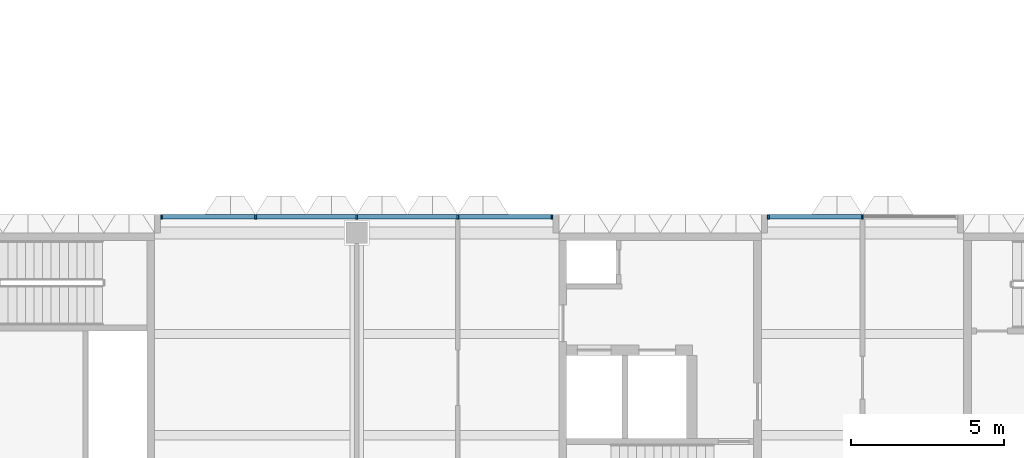
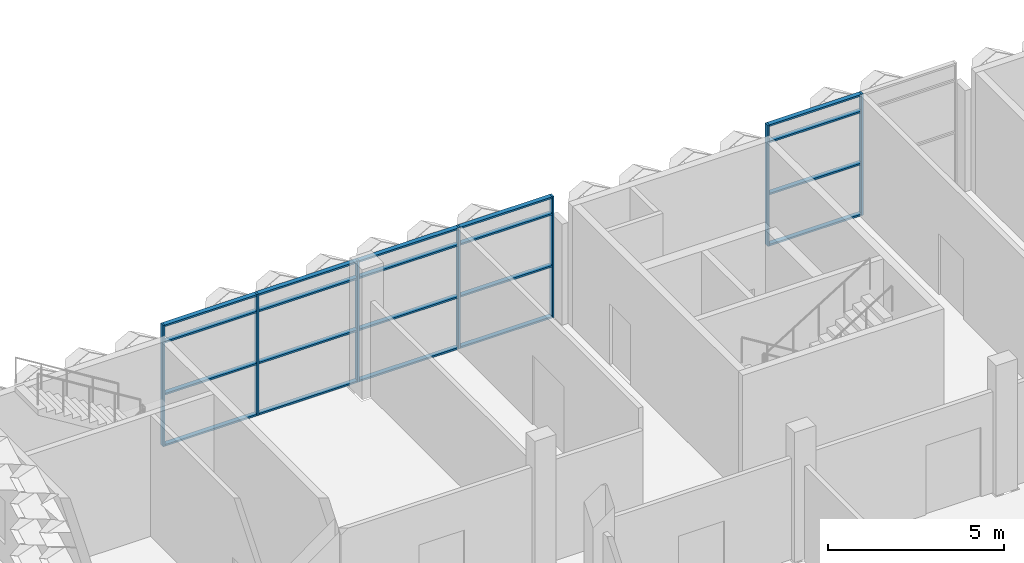
# One storey, part 12 of 109: 27 members, 2 elements without a shape of their own.
"""IFC4 building model written with IfcOpenShell, lengths in metres."""

import ifcopenshell
import ifcopenshell.guid

model = None  # the IFC model being written
_history = None  # IfcOwnerHistory: only IFC2X3 demands one
_inside = {}  # id of a spatial element -> (the spatial element, [elements in it])
_under = {}  # id of a project, library or spatial element -> (it, [spatial elements below it])
_declared = {}  # id of a project -> (the project, [libraries it declares])
_typed = {}  # id of a type object -> (the type object, [elements of that type])
_made_of = {}  # id of a material, layer set ... -> (it, [elements and type objects made of it])


def new_model(schema):
    """Start an empty IFC model of exactly this schema.

    Asked for "IFC4X3", IfcOpenShell would pick the latest addendum, in which some entities
    have other attributes; the version numbers below select the first issue.
    IFC2X3 requires an IfcOwnerHistory on every rooted entity: one is made here for all.
    """
    global model, _history
    if schema == "IFC4X3":
        model = ifcopenshell.file(schema_version=(4, 3, 0, 0))
    else:
        model = ifcopenshell.file(schema=schema)
    _inside.clear()
    _under.clear()
    _declared.clear()
    _typed.clear()
    _made_of.clear()
    _history = None
    if model.schema == "IFC2X3":
        org = make("IfcOrganization", Name="unknown")
        user = make(
            "IfcPersonAndOrganization",
            ThePerson=make("IfcPerson", FamilyName="unknown"),
            TheOrganization=org,
        )
        app = make(
            "IfcApplication",
            ApplicationDeveloper=org,
            Version="unknown",
            ApplicationFullName="unknown",
            ApplicationIdentifier="unknown",
        )
        _history = make(
            "IfcOwnerHistory",
            OwningUser=user,
            OwningApplication=app,
            ChangeAction="ADDED",
            CreationDate=0,
        )
    return model


def make(cls, **values):
    """One entity of the class cls with the attributes given. An attribute that is None is left unset."""
    return model.create_entity(
        cls, **{name: value for name, value in values.items() if value is not None}
    )


def rooted(cls, **values):
    """An entity with a GlobalId (a new one), such as an element, a storey or a relation."""
    return make(cls, GlobalId=ifcopenshell.guid.new(), OwnerHistory=_history, **values)


def si_unit(unit_type, name, prefix=None):
    """IfcSIUnit, for example si_unit("LENGTHUNIT", "METRE", prefix="MILLI")."""
    return make("IfcSIUnit", UnitType=unit_type, Prefix=prefix, Name=name)


def assignment(units):
    """IfcUnitAssignment: the units of a project."""
    return None if units is None else make("IfcUnitAssignment", Units=units)


def point(xyz):
    """IfcCartesianPoint."""
    return None if xyz is None else make("IfcCartesianPoint", Coordinates=xyz)


def direction(xyz):
    """IfcDirection."""
    return None if xyz is None else make("IfcDirection", DirectionRatios=xyz)


def frame(location, z_axis=None, x_axis=None):
    """IfcAxis2Placement3D, a coordinate frame: its origin and axes. An axis left out is left unset."""
    return make(
        "IfcAxis2Placement3D",
        Location=point(location),
        Axis=direction(z_axis),
        RefDirection=direction(x_axis),
    )


def frame_2d(location, x_axis=None):
    """IfcAxis2Placement2D, a coordinate frame in the plane: its origin and x axis."""
    return make(
        "IfcAxis2Placement2D", Location=point(location), RefDirection=direction(x_axis)
    )


def origin():
    """The frame at (0, 0, 0) with its axes left unset."""
    return frame((0.0, 0.0, 0.0))


def origin_2d():
    """The frame at (0, 0) in the plane with its x axis left unset."""
    return frame_2d((0.0, 0.0))


def place(relative_to, where):
    """IfcLocalPlacement: puts the frame where relative to a parent placement (None: the world)."""
    return make(
        "IfcLocalPlacement", PlacementRelTo=relative_to, RelativePlacement=where
    )


def context(
    kind, dimensions, precision=None, world=None, true_north=None, identifier=None
):
    """IfcGeometricRepresentationContext, for example the 3D "Model" context."""
    return make(
        "IfcGeometricRepresentationContext",
        ContextIdentifier=identifier,
        ContextType=kind,
        CoordinateSpaceDimension=dimensions,
        Precision=precision,
        WorldCoordinateSystem=world,
        TrueNorth=true_north,
    )


def subcontext(parent, identifier, kind, view, scale=None):
    """IfcGeometricRepresentationSubContext, for example "Body" below "Model"."""
    return make(
        "IfcGeometricRepresentationSubContext",
        ContextIdentifier=identifier,
        ContextType=kind,
        ParentContext=parent,
        TargetScale=scale,
        TargetView=view,
    )


def project(units=None, contexts=None):
    """IfcProject with its units and contexts."""
    return rooted(
        "IfcProject",
        Name="project",
        RepresentationContexts=contexts,
        UnitsInContext=assignment(units),
    )


def spatial(cls, under=None, at=None, **own):
    """A site, building, storey or space (cls), placed at a placement, below another one or the project."""
    s = rooted(cls, ObjectPlacement=at, **own)
    if under is not None:
        _under.setdefault(under.id(), (under, []))[1].append(s)
    return s


def profile(cls, at=None, kind="AREA", **sizes):
    """A parametric profile (cls). Its sizes go by their IFC names, for example OverallWidth=200.0."""
    return make(cls, ProfileType=kind, Position=at, **sizes)


def rectangle(**sizes):
    """IfcRectangleProfileDef."""
    return profile("IfcRectangleProfileDef", **sizes)


def extrude(swept, where, along, depth):
    """IfcExtrudedAreaSolid: the profile swept, set in the frame where, extruded along a direction by depth."""
    return make(
        "IfcExtrudedAreaSolid",
        SweptArea=swept,
        Position=where,
        ExtrudedDirection=direction(along),
        Depth=depth,
    )


def shape(context_of_items, identifier, shape_type, items):
    """IfcShapeRepresentation: the items that make up one representation, for example the "Body"."""
    return make(
        "IfcShapeRepresentation",
        ContextOfItems=context_of_items,
        RepresentationIdentifier=identifier,
        RepresentationType=shape_type,
        Items=items,
    )


def material(Name=None, Category=None):
    """IfcMaterial."""
    return make("IfcMaterial", Name=Name, Category=Category)


def material_profile(
    of_material, cross_section, Name=None, Category=None, Priority=None
):
    """IfcMaterialProfile: a cross section and its material."""
    return make(
        "IfcMaterialProfile",
        Name=Name,
        Material=of_material,
        Profile=cross_section,
        Priority=Priority,
        Category=Category,
    )


def profile_set(profiles, Name=None, composite=None):
    """IfcMaterialProfileSet."""
    return make(
        "IfcMaterialProfileSet",
        Name=Name,
        MaterialProfiles=profiles,
        CompositeProfile=composite,
    )


def made_of(thing, what):
    """Note that an element or type object is made of a material, layer set ...; save() writes the relation."""
    if what is not None:
        _made_of.setdefault(what.id(), (what, []))[1].append(thing)
    return thing


def type_object(cls, material=None, **own):
    """A type object (cls), such as IfcWallType, which elements share."""
    return made_of(rooted(cls, **own), material)


def element(
    cls,
    number,
    at=None,
    inside=None,
    cuts=None,
    type_object=None,
    material=None,
    context=None,
    identifier="Body",
    shape_type=None,
    held_by="IfcProductDefinitionShape",
    body=None,
    shapes=None,
    **own,
):
    """One element of the class cls, such as IfcWall. Its Tag is "e" and its number.

    at: its placement. inside: the storey or other place that contains it. cuts: it is an
    opening in that element (IfcRelVoidsElement). A single representation is given by context,
    identifier, shape_type and body (its items); several are given by shapes. held_by: the class
    of the entity that holds the representations. save() writes the other relations.
    """
    e = rooted(cls, Tag="e%d" % number, ObjectPlacement=at, **own)
    if body is not None:
        shapes = [shape(context, identifier, shape_type, body)]
    if shapes is not None:
        e.Representation = make(held_by, Representations=shapes)
    if inside is not None:
        _inside.setdefault(inside.id(), (inside, []))[1].append(e)
    if cuts is not None:
        rooted(
            "IfcRelVoidsElement", RelatingBuildingElement=cuts, RelatedOpeningElement=e
        )
    if type_object is not None:
        _typed.setdefault(type_object.id(), (type_object, []))[1].append(e)
    return made_of(e, material)


def aggregate(whole, parts):
    """IfcRelAggregates: a whole, such as a stair, and the parts it consists of."""
    return rooted("IfcRelAggregates", RelatingObject=whole, RelatedObjects=parts)


def save(model, path):
    """Write the relations noted so far, then the file.

    IfcRelAggregates (storeys below a building ...), IfcRelContainedInSpatialStructure (elements
    in a storey), IfcRelDefinesByType, IfcRelAssociatesMaterial and IfcRelDeclares: one each for
    every whole, place, type object, material and project.
    """
    for whole, parts in _under.values():
        aggregate(whole, parts)
    for where, things in _inside.values():
        rooted(
            "IfcRelContainedInSpatialStructure",
            RelatedElements=things,
            RelatingStructure=where,
        )
    for kind, things in _typed.values():
        rooted("IfcRelDefinesByType", RelatedObjects=things, RelatingType=kind)
    for what, things in _made_of.values():
        rooted("IfcRelAssociatesMaterial", RelatedObjects=things, RelatingMaterial=what)
    for by, libraries in _declared.values():
        rooted("IfcRelDeclares", RelatingContext=by, RelatedDefinitions=libraries)
    model.write(path)


model = new_model("IFC4")

# Units and contexts
model_context = context("Model", 3, precision=1e-05, world=origin(), true_north=direction((0.0, 1.0)))
body_context = subcontext(model_context, "Body", "Model", "MODEL_VIEW")
ifc_project = project(units=[si_unit("LENGTHUNIT", "METRE"), si_unit("AREAUNIT", "SQUARE_METRE"), si_unit("VOLUMEUNIT", "CUBIC_METRE"), si_unit("PLANEANGLEUNIT", "RADIAN"), si_unit("MASSUNIT", "GRAM", prefix="KILO")], contexts=[model_context])

# Site, building, storey
site_placement = place(None, origin())
site = spatial("IfcSite", under=ifc_project, at=site_placement, CompositionType="ELEMENT")
building_placement = place(site_placement, origin())
building = spatial("IfcBuilding", under=site, at=building_placement, Name="Lantern Court Research Institute", CompositionType="ELEMENT")
storey_placement = place(building_placement, frame((0.0, 0.0, 14.39990234375)))
storey = spatial("IfcBuildingStorey", under=building, at=storey_placement, Name="L03", CompositionType="ELEMENT", Elevation=14.39990234375)

# Curtain wall, members
ifc_material_1 = material(Name="Aluminium alloy 6063-T6", Category="aluminium")
curtain_wall_type_1 = type_object("IfcCurtainWallType", Name="Curtain wall 12800 x 4200 x 150 aluminium frame", PredefinedType="NOTDEFINED", material=ifc_material_1)
curtain_wall_1_placement = place(storey_placement, origin())
curtain_wall_1 = element("IfcCurtainWall", 1, at=curtain_wall_1_placement, inside=storey, type_object=curtain_wall_type_1, Name="Curtain wall CW045", PredefinedType="NOTDEFINED")
ifc_material_2 = material(Name="Aluminium alloy 6063-T6", Category="aluminium")
ifc_material_profile_1 = material_profile(ifc_material_2, rectangle(XDim=0.14990234375, YDim=0.06005859375, at=origin_2d()), Name="Mullion 150 x 60")
ifc_profile_set_1 = profile_set([ifc_material_profile_1], Name="Aluminium alloy 6063-T6")
member_type_1 = type_object("IfcMemberType", Name="Mullion 150 x 60 aluminium", PredefinedType="MULLION", material=ifc_profile_set_1)
member_1_placement = place(storey_placement, frame((6.830078125, 23.625, 0.0), z_axis=(0.0, 0.0, 1.0), x_axis=(0.0, 1.0, 0.0)))
member_1 = element("IfcMember", 2, at=member_1_placement, type_object=member_type_1, Name="CW045 mullion 1", PredefinedType="MULLION", context=body_context, shape_type="SweptSolid", body=[
    extrude(rectangle(XDim=0.14990234375, YDim=0.06005859375, at=origin_2d()), origin(), (0.0, 0.0, 1.0), 4.2001953125),
])
member_2_placement = place(storey_placement, frame((9.89990234375, 23.625, 0.0), z_axis=(0.0, 0.0, 1.0), x_axis=(0.0, 1.0, 0.0)))
member_2 = element("IfcMember", 3, at=member_2_placement, type_object=member_type_1, Name="CW045 mullion 2", PredefinedType="MULLION", context=body_context, shape_type="SweptSolid", body=[
    extrude(rectangle(XDim=0.14990234375, YDim=0.06005859375, at=origin_2d()), origin(), (0.0, 0.0, 1.0), 4.2001953125),
])
member_3_placement = place(storey_placement, frame((13.199951171875, 23.625, 0.0), z_axis=(0.0, 0.0, 1.0), x_axis=(0.0, 1.0, 0.0)))
member_3 = element("IfcMember", 4, at=member_3_placement, type_object=member_type_1, Name="CW045 mullion 3", PredefinedType="MULLION", context=body_context, shape_type="SweptSolid", body=[
    extrude(rectangle(XDim=0.14990234375, YDim=0.06005859375, at=origin_2d()), origin(), (0.0, 0.0, 1.0), 4.2001953125),
])
member_4_placement = place(storey_placement, frame((16.5, 23.625, 0.0), z_axis=(0.0, 0.0, 1.0), x_axis=(0.0, 1.0, 0.0)))
member_4 = element("IfcMember", 5, at=member_4_placement, type_object=member_type_1, Name="CW045 mullion 4", PredefinedType="MULLION", context=body_context, shape_type="SweptSolid", body=[
    extrude(rectangle(XDim=0.14990234375, YDim=0.06005859375, at=origin_2d()), origin(), (0.0, 0.0, 1.0), 4.2001953125),
])
member_5_placement = place(storey_placement, frame((19.570068359375, 23.625, 0.0), z_axis=(0.0, 0.0, 1.0), x_axis=(0.0, 1.0, 0.0)))
member_5 = element("IfcMember", 6, at=member_5_placement, type_object=member_type_1, Name="CW045 mullion 5", PredefinedType="MULLION", context=body_context, shape_type="SweptSolid", body=[
    extrude(rectangle(XDim=0.14990234375, YDim=0.06005859375, at=origin_2d()), origin(), (0.0, 0.0, 1.0), 4.2001953125),
])

ifc_material_3 = material(Name="Aluminium alloy 6063-T6", Category="aluminium")
curtain_wall_type_2 = type_object("IfcCurtainWallType", Name="Curtain wall 6200 x 4200 x 150 aluminium frame", PredefinedType="NOTDEFINED", material=ifc_material_3)
curtain_wall_2_placement = place(storey_placement, origin())
curtain_wall_2 = element("IfcCurtainWall", 7, at=curtain_wall_2_placement, inside=storey, type_object=curtain_wall_type_2, Name="Curtain wall CW046", PredefinedType="NOTDEFINED")
member_6_placement = place(storey_placement, frame((26.6298828125, 23.625, 0.0), z_axis=(0.0, 0.0, 1.0), x_axis=(0.0, 1.0, 0.0)))
member_6 = element("IfcMember", 8, at=member_6_placement, type_object=member_type_1, Name="CW046 mullion 1", PredefinedType="MULLION", context=body_context, shape_type="SweptSolid", body=[
    extrude(rectangle(XDim=0.14990234375, YDim=0.06005859375, at=origin_2d()), origin(), (0.0, 0.0, 1.0), 4.2001953125),
])
member_7_placement = place(storey_placement, frame((29.699951171875, 23.625, 0.0), z_axis=(0.0, 0.0, 1.0), x_axis=(0.0, 1.0, 0.0)))
member_7 = element("IfcMember", 9, at=member_7_placement, type_object=member_type_1, Name="CW046 mullion 2", PredefinedType="MULLION", context=body_context, shape_type="SweptSolid", body=[
    extrude(rectangle(XDim=0.14990234375, YDim=0.06005859375, at=origin_2d()), origin(), (0.0, 0.0, 1.0), 4.2001953125),
])

# Member
ifc_material_4 = material(Name="Aluminium alloy 6063-T6", Category="aluminium")
ifc_material_profile_2 = material_profile(ifc_material_4, rectangle(XDim=0.14990234375, YDim=0.06005859375, at=origin_2d()), Name="Transom 150 x 60")
ifc_profile_set_2 = profile_set([ifc_material_profile_2], Name="Aluminium alloy 6063-T6")
member_type_2 = type_object("IfcMemberType", Name="Transom 150 x 60 aluminium", PredefinedType="USERDEFINED", material=ifc_profile_set_2)
member_8_placement = place(storey_placement, frame((6.860107421875, 23.625, 0.030029296875), z_axis=(1.0, 0.0, 0.0), x_axis=(0.0, 1.0, 0.0)))
member_8 = element("IfcMember", 10, at=member_8_placement, type_object=member_type_2, Name="CW045 transom 1.1", ObjectType="TRANSOM", PredefinedType="USERDEFINED", context=body_context, shape_type="SweptSolid", body=[
    extrude(rectangle(XDim=0.14990234375, YDim=0.06005859375, at=origin_2d()), origin(), (0.0, 0.0, 1.0), 3.010009765625),
])

member_9_placement = place(storey_placement, frame((6.860107421875, 23.625, 1.800048828125), z_axis=(1.0, 0.0, 0.0), x_axis=(0.0, 1.0, 0.0)))
member_9 = element("IfcMember", 11, at=member_9_placement, type_object=member_type_2, Name="CW045 transom 1.2", ObjectType="TRANSOM", PredefinedType="USERDEFINED", context=body_context, shape_type="SweptSolid", body=[
    extrude(rectangle(XDim=0.14990234375, YDim=0.06005859375, at=origin_2d()), origin(), (0.0, 0.0, 1.0), 3.010009765625),
])

member_10_placement = place(storey_placement, frame((6.860107421875, 23.625, 3.60009765625), z_axis=(1.0, 0.0, 0.0), x_axis=(0.0, 1.0, 0.0)))
member_10 = element("IfcMember", 12, at=member_10_placement, type_object=member_type_2, Name="CW045 transom 1.3", ObjectType="TRANSOM", PredefinedType="USERDEFINED", context=body_context, shape_type="SweptSolid", body=[
    extrude(rectangle(XDim=0.14990234375, YDim=0.06005859375, at=origin_2d()), origin(), (0.0, 0.0, 1.0), 3.010009765625),
])

member_11_placement = place(storey_placement, frame((6.860107421875, 23.625, 4.170166015625), z_axis=(1.0, 0.0, 0.0), x_axis=(0.0, 1.0, 0.0)))
member_11 = element("IfcMember", 13, at=member_11_placement, type_object=member_type_2, Name="CW045 transom 1.4", ObjectType="TRANSOM", PredefinedType="USERDEFINED", context=body_context, shape_type="SweptSolid", body=[
    extrude(rectangle(XDim=0.14990234375, YDim=0.06005859375, at=origin_2d()), origin(), (0.0, 0.0, 1.0), 3.010009765625),
])

member_12_placement = place(storey_placement, frame((9.929931640625, 23.625, 0.030029296875), z_axis=(1.0, 0.0, 0.0), x_axis=(0.0, 1.0, 0.0)))
member_12 = element("IfcMember", 14, at=member_12_placement, type_object=member_type_2, Name="CW045 transom 2.1", ObjectType="TRANSOM", PredefinedType="USERDEFINED", context=body_context, shape_type="SweptSolid", body=[
    extrude(rectangle(XDim=0.14990234375, YDim=0.06005859375, at=origin_2d()), origin(), (0.0, 0.0, 1.0), 3.239990234375),
])

member_13_placement = place(storey_placement, frame((9.929931640625, 23.625, 1.800048828125), z_axis=(1.0, 0.0, 0.0), x_axis=(0.0, 1.0, 0.0)))
member_13 = element("IfcMember", 15, at=member_13_placement, type_object=member_type_2, Name="CW045 transom 2.2", ObjectType="TRANSOM", PredefinedType="USERDEFINED", context=body_context, shape_type="SweptSolid", body=[
    extrude(rectangle(XDim=0.14990234375, YDim=0.06005859375, at=origin_2d()), origin(), (0.0, 0.0, 1.0), 3.239990234375),
])

member_14_placement = place(storey_placement, frame((9.929931640625, 23.625, 3.60009765625), z_axis=(1.0, 0.0, 0.0), x_axis=(0.0, 1.0, 0.0)))
member_14 = element("IfcMember", 16, at=member_14_placement, type_object=member_type_2, Name="CW045 transom 2.3", ObjectType="TRANSOM", PredefinedType="USERDEFINED", context=body_context, shape_type="SweptSolid", body=[
    extrude(rectangle(XDim=0.14990234375, YDim=0.06005859375, at=origin_2d()), origin(), (0.0, 0.0, 1.0), 3.239990234375),
])

member_15_placement = place(storey_placement, frame((9.929931640625, 23.625, 4.170166015625), z_axis=(1.0, 0.0, 0.0), x_axis=(0.0, 1.0, 0.0)))
member_15 = element("IfcMember", 17, at=member_15_placement, type_object=member_type_2, Name="CW045 transom 2.4", ObjectType="TRANSOM", PredefinedType="USERDEFINED", context=body_context, shape_type="SweptSolid", body=[
    extrude(rectangle(XDim=0.14990234375, YDim=0.06005859375, at=origin_2d()), origin(), (0.0, 0.0, 1.0), 3.239990234375),
])

member_16_placement = place(storey_placement, frame((13.22998046875, 23.625, 0.030029296875), z_axis=(1.0, 0.0, 0.0), x_axis=(0.0, 1.0, 0.0)))
member_16 = element("IfcMember", 18, at=member_16_placement, type_object=member_type_2, Name="CW045 transom 3.1", ObjectType="TRANSOM", PredefinedType="USERDEFINED", context=body_context, shape_type="SweptSolid", body=[
    extrude(rectangle(XDim=0.14990234375, YDim=0.06005859375, at=origin_2d()), origin(), (0.0, 0.0, 1.0), 3.239990234375),
])

member_17_placement = place(storey_placement, frame((13.22998046875, 23.625, 1.800048828125), z_axis=(1.0, 0.0, 0.0), x_axis=(0.0, 1.0, 0.0)))
member_17 = element("IfcMember", 19, at=member_17_placement, type_object=member_type_2, Name="CW045 transom 3.2", ObjectType="TRANSOM", PredefinedType="USERDEFINED", context=body_context, shape_type="SweptSolid", body=[
    extrude(rectangle(XDim=0.14990234375, YDim=0.06005859375, at=origin_2d()), origin(), (0.0, 0.0, 1.0), 3.239990234375),
])

member_18_placement = place(storey_placement, frame((13.22998046875, 23.625, 3.60009765625), z_axis=(1.0, 0.0, 0.0), x_axis=(0.0, 1.0, 0.0)))
member_18 = element("IfcMember", 20, at=member_18_placement, type_object=member_type_2, Name="CW045 transom 3.3", ObjectType="TRANSOM", PredefinedType="USERDEFINED", context=body_context, shape_type="SweptSolid", body=[
    extrude(rectangle(XDim=0.14990234375, YDim=0.06005859375, at=origin_2d()), origin(), (0.0, 0.0, 1.0), 3.239990234375),
])

member_19_placement = place(storey_placement, frame((13.22998046875, 23.625, 4.170166015625), z_axis=(1.0, 0.0, 0.0), x_axis=(0.0, 1.0, 0.0)))
member_19 = element("IfcMember", 21, at=member_19_placement, type_object=member_type_2, Name="CW045 transom 3.4", ObjectType="TRANSOM", PredefinedType="USERDEFINED", context=body_context, shape_type="SweptSolid", body=[
    extrude(rectangle(XDim=0.14990234375, YDim=0.06005859375, at=origin_2d()), origin(), (0.0, 0.0, 1.0), 3.239990234375),
])

member_20_placement = place(storey_placement, frame((16.530029296875, 23.625, 0.030029296875), z_axis=(1.0, 0.0, 0.0), x_axis=(0.0, 1.0, 0.0)))
member_20 = element("IfcMember", 22, at=member_20_placement, type_object=member_type_2, Name="CW045 transom 4.1", ObjectType="TRANSOM", PredefinedType="USERDEFINED", context=body_context, shape_type="SweptSolid", body=[
    extrude(rectangle(XDim=0.14990234375, YDim=0.06005859375, at=origin_2d()), origin(), (0.0, 0.0, 1.0), 3.010009765625),
])

member_21_placement = place(storey_placement, frame((16.530029296875, 23.625, 1.800048828125), z_axis=(1.0, 0.0, 0.0), x_axis=(0.0, 1.0, 0.0)))
member_21 = element("IfcMember", 23, at=member_21_placement, type_object=member_type_2, Name="CW045 transom 4.2", ObjectType="TRANSOM", PredefinedType="USERDEFINED", context=body_context, shape_type="SweptSolid", body=[
    extrude(rectangle(XDim=0.14990234375, YDim=0.06005859375, at=origin_2d()), origin(), (0.0, 0.0, 1.0), 3.010009765625),
])

member_22_placement = place(storey_placement, frame((16.530029296875, 23.625, 3.60009765625), z_axis=(1.0, 0.0, 0.0), x_axis=(0.0, 1.0, 0.0)))
member_22 = element("IfcMember", 24, at=member_22_placement, type_object=member_type_2, Name="CW045 transom 4.3", ObjectType="TRANSOM", PredefinedType="USERDEFINED", context=body_context, shape_type="SweptSolid", body=[
    extrude(rectangle(XDim=0.14990234375, YDim=0.06005859375, at=origin_2d()), origin(), (0.0, 0.0, 1.0), 3.010009765625),
])

member_23_placement = place(storey_placement, frame((16.530029296875, 23.625, 4.170166015625), z_axis=(1.0, 0.0, 0.0), x_axis=(0.0, 1.0, 0.0)))
member_23 = element("IfcMember", 25, at=member_23_placement, type_object=member_type_2, Name="CW045 transom 4.4", ObjectType="TRANSOM", PredefinedType="USERDEFINED", context=body_context, shape_type="SweptSolid", body=[
    extrude(rectangle(XDim=0.14990234375, YDim=0.06005859375, at=origin_2d()), origin(), (0.0, 0.0, 1.0), 3.010009765625),
])

aggregate(curtain_wall_1, [member_1, member_2, member_3, member_4, member_5, member_8, member_9, member_10, member_11, member_12, member_13, member_14, member_15, member_16, member_17, member_18, member_19, member_20, member_21, member_22, member_23])

member_24_placement = place(storey_placement, frame((26.659912109375, 23.625, 0.030029296875), z_axis=(1.0, 0.0, 0.0), x_axis=(0.0, 1.0, 0.0)))
member_24 = element("IfcMember", 26, at=member_24_placement, type_object=member_type_2, Name="CW046 transom 1.1", ObjectType="TRANSOM", PredefinedType="USERDEFINED", context=body_context, shape_type="SweptSolid", body=[
    extrude(rectangle(XDim=0.14990234375, YDim=0.06005859375, at=origin_2d()), origin(), (0.0, 0.0, 1.0), 3.010009765625),
])

member_25_placement = place(storey_placement, frame((26.659912109375, 23.625, 1.800048828125), z_axis=(1.0, 0.0, 0.0), x_axis=(0.0, 1.0, 0.0)))
member_25 = element("IfcMember", 27, at=member_25_placement, type_object=member_type_2, Name="CW046 transom 1.2", ObjectType="TRANSOM", PredefinedType="USERDEFINED", context=body_context, shape_type="SweptSolid", body=[
    extrude(rectangle(XDim=0.14990234375, YDim=0.06005859375, at=origin_2d()), origin(), (0.0, 0.0, 1.0), 3.010009765625),
])

member_26_placement = place(storey_placement, frame((26.659912109375, 23.625, 3.60009765625), z_axis=(1.0, 0.0, 0.0), x_axis=(0.0, 1.0, 0.0)))
member_26 = element("IfcMember", 28, at=member_26_placement, type_object=member_type_2, Name="CW046 transom 1.3", ObjectType="TRANSOM", PredefinedType="USERDEFINED", context=body_context, shape_type="SweptSolid", body=[
    extrude(rectangle(XDim=0.14990234375, YDim=0.06005859375, at=origin_2d()), origin(), (0.0, 0.0, 1.0), 3.010009765625),
])

member_27_placement = place(storey_placement, frame((26.659912109375, 23.625, 4.170166015625), z_axis=(1.0, 0.0, 0.0), x_axis=(0.0, 1.0, 0.0)))
member_27 = element("IfcMember", 29, at=member_27_placement, type_object=member_type_2, Name="CW046 transom 1.4", ObjectType="TRANSOM", PredefinedType="USERDEFINED", context=body_context, shape_type="SweptSolid", body=[
    extrude(rectangle(XDim=0.14990234375, YDim=0.06005859375, at=origin_2d()), origin(), (0.0, 0.0, 1.0), 3.010009765625),
])

aggregate(curtain_wall_2, [member_6, member_7, member_24, member_25, member_26, member_27])

save(model, "model.ifc")
